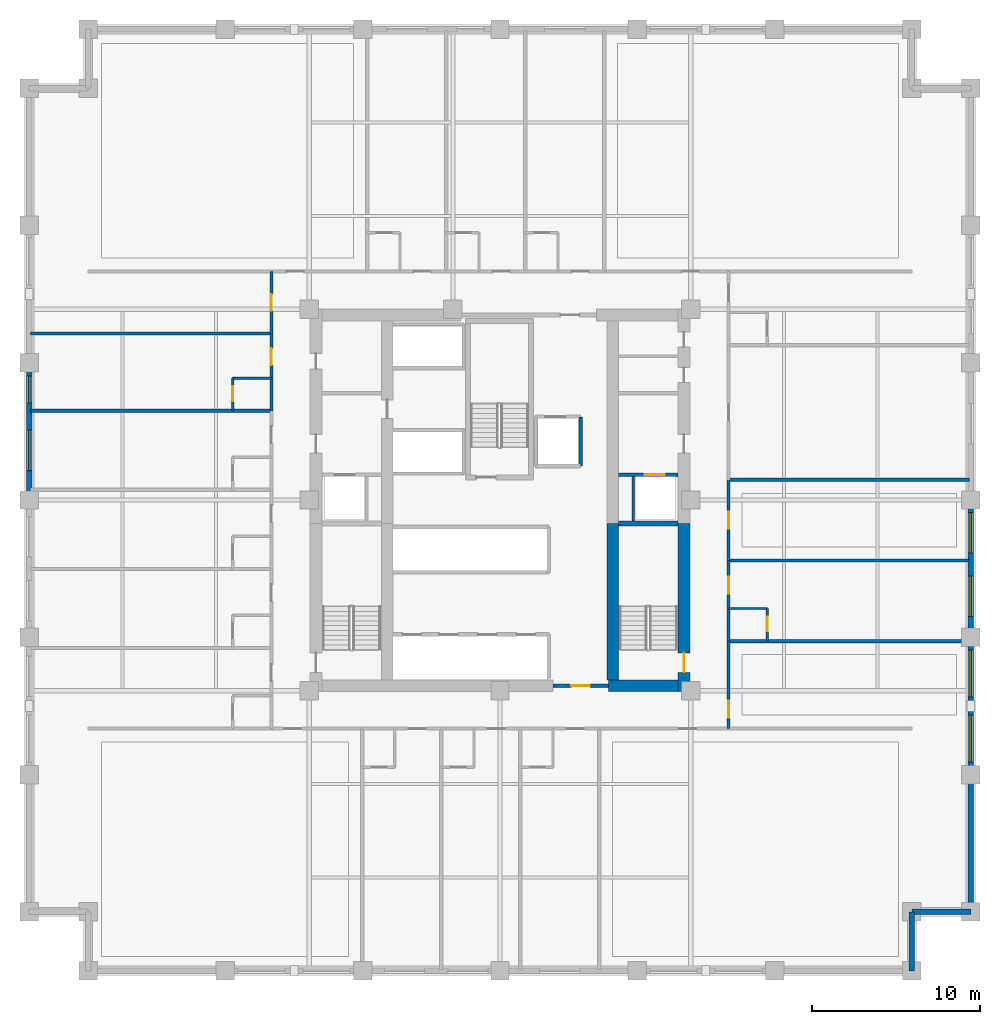
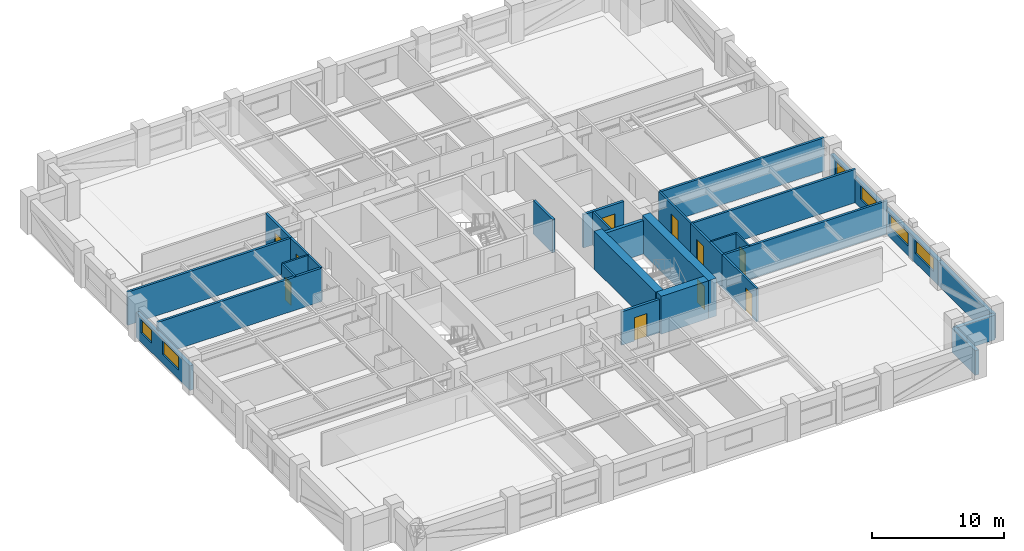
# One storey, part 4 of 12: 28 walls, 10 doors, 6 windows, 16 openings.
"""IFC4 building model written with IfcOpenShell, lengths in metres."""

from ifc_helpers import new_model, si_unit, direction, frame, frame_2d, origin, place, context, subcontext, project, spatial, rectangle, extrude, material, layer, layer_set, type_object, element, fill, save


model = new_model("IFC4")

# Units and contexts
model_context = context("Model", 3, precision=1e-05, world=origin(), true_north=direction((0.0, 1.0)))
body_context = subcontext(model_context, "Body", "Model", "MODEL_VIEW")
ifc_project = project(units=[si_unit("LENGTHUNIT", "METRE"), si_unit("AREAUNIT", "SQUARE_METRE"), si_unit("VOLUMEUNIT", "CUBIC_METRE"), si_unit("PLANEANGLEUNIT", "RADIAN"), si_unit("MASSUNIT", "GRAM", prefix="KILO")], contexts=[model_context])

# Site, building, storey
site_placement = place(None, origin())
site = spatial("IfcSite", under=ifc_project, at=site_placement, CompositionType="ELEMENT")
building_placement = place(site_placement, origin())
building = spatial("IfcBuilding", under=site, at=building_placement, Name="Nhamokura Convention Tower", CompositionType="ELEMENT")
storey_placement = place(building_placement, frame((0.0, 0.0, 38.85009765625)))
storey = spatial("IfcBuildingStorey", under=building, at=storey_placement, Name="L07", CompositionType="ELEMENT", Elevation=38.85009765625)

# Wall
ifc_material_1 = material(Name="Moisture-resistant tile-backer partition", Category="masonry")
ifc_layer_1 = layer(ifc_material_1, 0.139892578125)
ifc_layer_set_1 = layer_set([ifc_layer_1], Name="BathroomWetWall_140")
wall_type_1 = type_object("IfcWallType", Name="BathroomWetWall_140", PredefinedType="STANDARD", material=ifc_layer_set_1)
wall_1_placement = place(storey_placement, frame((16.10009765625, 39.25, 0.0), z_axis=(0.0, 0.0, 1.0), x_axis=(1.0, 0.0, 0.0)))
element("IfcWall", 1, at=wall_1_placement, inside=storey, type_object=wall_type_1, Name="L07 Wall INT-L07-BW-W04N", PredefinedType="STANDARD", context=body_context, shape_type="SweptSolid", body=[
    extrude(rectangle(XDim=2.2998046875, YDim=0.139892578125, at=frame_2d((1.14990234375, 0.0))), origin(), (0.0, 0.0, 1.0), 3.079833984375),
])

# Wall, opening, door
wall_2_placement = place(storey_placement, frame((16.10009765625, 37.300048828125, 0.0), z_axis=(0.0, 0.0, 1.0), x_axis=(0.0, 1.0, 0.0)))
wall_2 = element("IfcWall", 2, at=wall_2_placement, inside=storey, type_object=wall_type_1, Name="L07 Wall INT-L07-BW-W04W", PredefinedType="STANDARD", context=body_context, shape_type="SweptSolid", body=[
    extrude(rectangle(XDim=1.949951171875, YDim=0.139892578125, at=frame_2d((0.97509765625, 0.0))), origin(), (0.0, 0.0, 1.0), 3.079833984375),
])
opening_1_placement = place(wall_2_placement, frame((0.580078125, 0.0, 0.0)))
opening_1 = element("IfcOpeningElement", 3, at=opening_1_placement, cuts=wall_2, Name="Opening D-11", PredefinedType="OPENING", context=body_context, shape_type="SweptSolid", body=[
    extrude(rectangle(XDim=0.8798828125, YDim=2.10009765625, at=frame_2d((0.43994140625, 1.050048828125))), frame((0.0, 0.079833984375, 0.0), z_axis=(0.0, -1.0, 0.0), x_axis=(1.0, 0.0, 0.0)), (0.0, 0.0, 1.0), 0.159912109375),
])
ifc_material_2 = material(Name="Solid oak hardwood", Category="wood")
door_type_1 = type_object("IfcDoorType", Name="BathroomDoor_880", OperationType="NOTDEFINED", PredefinedType="DOOR", material=ifc_material_2)
door_1_placement = place(opening_1_placement, origin())
door_1 = element("IfcDoor", 4, at=door_1_placement, inside=storey, type_object=door_type_1, Name="L07 Guest Room En-suite Door", OperationType="SINGLE_SWING_RIGHT", OverallHeight=2.10009765625, OverallWidth=0.8798828125, PredefinedType="DOOR", context=body_context, shape_type="SweptSolid", body=[
    extrude(rectangle(XDim=0.8798828125, YDim=2.10009765625, at=frame_2d((0.43994140625, 1.050048828125))), frame((0.0, 0.02490234375, 0.0), z_axis=(0.0, -1.0, 0.0), x_axis=(1.0, 0.0, 0.0)), (0.0, 0.0, 1.0), 0.050048828125),
])
fill(opening_1, door_1)

# Wall
wall_3_placement = place(storey_placement, frame((45.60009765625, 25.550048828125, 0.0), z_axis=(0.0, 0.0, 1.0), x_axis=(1.0, 0.0, 0.0)))
element("IfcWall", 5, at=wall_3_placement, inside=storey, type_object=wall_type_1, Name="L07 Wall INT-L07-BW-E01N", PredefinedType="STANDARD", context=body_context, shape_type="SweptSolid", body=[
    extrude(rectangle(XDim=2.2998046875, YDim=0.139892578125, at=frame_2d((1.14990234375, 0.0))), origin(), (0.0, 0.0, 1.0), 3.079833984375),
])

# Wall, opening, door
wall_4_placement = place(storey_placement, frame((47.89990234375, 23.60009765625, 0.0), z_axis=(0.0, 0.0, 1.0), x_axis=(0.0, 1.0, 0.0)))
wall_4 = element("IfcWall", 6, at=wall_4_placement, inside=storey, type_object=wall_type_1, Name="L07 Wall INT-L07-BW-E01E", PredefinedType="STANDARD", context=body_context, shape_type="SweptSolid", body=[
    extrude(rectangle(XDim=1.949951171875, YDim=0.139892578125, at=frame_2d((0.97509765625, 0.0))), origin(), (0.0, 0.0, 1.0), 3.079833984375),
])
opening_2_placement = place(wall_4_placement, frame((0.580078125, 0.0, 0.0)))
opening_2 = element("IfcOpeningElement", 7, at=opening_2_placement, cuts=wall_4, Name="Opening D-11", PredefinedType="OPENING", context=body_context, shape_type="SweptSolid", body=[
    extrude(rectangle(XDim=0.8798828125, YDim=2.10009765625, at=frame_2d((0.43994140625, 1.050048828125))), frame((0.0, 0.079833984375, 0.0), z_axis=(0.0, -1.0, 0.0), x_axis=(1.0, 0.0, 0.0)), (0.0, 0.0, 1.0), 0.159912109375),
])
door_2_placement = place(opening_2_placement, origin())
door_2 = element("IfcDoor", 8, at=door_2_placement, inside=storey, type_object=door_type_1, Name="L07 Guest Room En-suite Door", OperationType="SINGLE_SWING_LEFT", OverallHeight=2.10009765625, OverallWidth=0.8798828125, PredefinedType="DOOR", context=body_context, shape_type="SweptSolid", body=[
    extrude(rectangle(XDim=0.8798828125, YDim=2.10009765625, at=frame_2d((0.43994140625, 1.050048828125))), frame((0.0, 0.02490234375, 0.0), z_axis=(0.0, -1.0, 0.0), x_axis=(1.0, 0.0, 0.0)), (0.0, 0.0, 1.0), 0.050048828125),
])
fill(opening_2, door_2)

# Wall, openings, windows
ifc_material_3 = material(Name="Bronze-pigmented precast concrete C45/55", Category="concrete")
ifc_layer_2 = layer(ifc_material_3, 0.320068359375)
ifc_layer_set_2 = layer_set([ifc_layer_2], Name="BronzePrecastSpandrel_320")
wall_type_2 = type_object("IfcWallType", Name="BronzePrecastSpandrel_320", PredefinedType="USERDEFINED", material=ifc_layer_set_2)
wall_5_placement = place(storey_placement, frame((4.0, 32.0, 0.0), z_axis=(0.0, 0.0, 1.0), x_axis=(0.0, 1.0, 0.0)))
wall_5 = element("IfcWall", 9, at=wall_5_placement, inside=storey, type_object=wall_type_2, Name="L07 Masonry-Frame Wall WEST 3", ObjectType="SPANDREL_WALL", PredefinedType="USERDEFINED", context=body_context, shape_type="SweptSolid", body=[
    extrude(rectangle(XDim=8.166748046875, YDim=0.320068359375, at=frame_2d((4.08349609375, 0.0))), origin(), (0.0, 0.0, 1.0), 2.27978515625),
])
opening_3_placement = place(wall_5_placement, frame((1.75, 0.0, 0.85009765625)))
opening_3 = element("IfcOpeningElement", 10, at=opening_3_placement, cuts=wall_5, Name="Opening W-03", PredefinedType="OPENING", context=body_context, shape_type="SweptSolid", body=[
    extrude(rectangle(XDim=2.39990234375, YDim=1.22998046875, at=frame_2d((1.199951171875, 0.614990234375))), frame((0.0, 0.169921875, 0.0), z_axis=(0.0, -1.0, 0.0), x_axis=(1.0, 0.0, 0.0)), (0.0, 0.0, 1.0), 0.340087890625),
])
opening_4_placement = place(wall_5_placement, frame((5.783203125, 0.0, 0.85009765625)))
opening_4 = element("IfcOpeningElement", 11, at=opening_4_placement, cuts=wall_5, Name="Opening W-11", PredefinedType="OPENING", context=body_context, shape_type="SweptSolid", body=[
    extrude(rectangle(XDim=1.60009765625, YDim=1.22998046875, at=frame_2d((0.800048828125, 0.614990234375))), frame((0.0, 0.169921875, 0.0), z_axis=(0.0, -1.0, 0.0), x_axis=(1.0, 0.0, 0.0)), (0.0, 0.0, 1.0), 0.340087890625),
])
ifc_material_4 = material(Name="Solar-control bronze low-E double glass", Category="glass")
window_type_1 = type_object("IfcWindowType", Name="HotelBayWindow_2400", PartitioningType="DOUBLE_PANEL_VERTICAL", PredefinedType="WINDOW", material=ifc_material_4)
window_1_placement = place(opening_3_placement, origin())
window_1 = element("IfcWindow", 12, at=window_1_placement, inside=storey, type_object=window_type_1, Name="L07 Facade Window WEST 3-1", OverallHeight=1.22998046875, OverallWidth=2.39990234375, PartitioningType="SINGLE_PANEL", PredefinedType="WINDOW", context=body_context, shape_type="SweptSolid", body=[
    extrude(rectangle(XDim=2.39990234375, YDim=1.22998046875, at=frame_2d((1.199951171875, 0.614990234375))), frame((0.0, 0.030029296875, 0.0), z_axis=(0.0, -1.0, 0.0), x_axis=(1.0, 0.0, 0.0)), (0.0, 0.0, 1.0), 0.06005859375),
])
fill(opening_3, window_1)
ifc_material_5 = material(Name="Solar-control bronze low-E double glass", Category="glass")
window_type_2 = type_object("IfcWindowType", Name="NotchCornerWindow_1600", PartitioningType="SINGLE_PANEL", PredefinedType="WINDOW", material=ifc_material_5)
window_2_placement = place(opening_4_placement, origin())
window_2 = element("IfcWindow", 13, at=window_2_placement, inside=storey, type_object=window_type_2, Name="L07 Facade Window WEST 3-2", OverallHeight=1.22998046875, OverallWidth=1.60009765625, PartitioningType="SINGLE_PANEL", PredefinedType="WINDOW", context=body_context, shape_type="SweptSolid", body=[
    extrude(rectangle(XDim=1.60009765625, YDim=1.22998046875, at=frame_2d((0.800048828125, 0.614990234375))), frame((0.0, 0.030029296875, 0.0), z_axis=(0.0, -1.0, 0.0), x_axis=(1.0, 0.0, 0.0)), (0.0, 0.0, 1.0), 0.06005859375),
])
fill(opening_4, window_2)

# Wall
wall_6_placement = place(storey_placement, frame((60.0, 15.666748046875, 0.0), z_axis=(0.0, 0.0, 1.0), x_axis=(0.0, -1.0, 0.0)))
element("IfcWall", 14, at=wall_6_placement, inside=storey, type_object=wall_type_2, Name="L07 Braced-Bay Precast Wall EAST 0", ObjectType="SPANDREL_WALL", PredefinedType="USERDEFINED", context=body_context, shape_type="SweptSolid", body=[
    extrude(rectangle(XDim=8.166748046875, YDim=0.320068359375, at=frame_2d((4.08349609375, 0.0))), origin(), (0.0, 0.0, 1.0), 2.27978515625),
])

# Wall, openings, windows
wall_7_placement = place(storey_placement, frame((60.0, 23.833251953125, 0.0), z_axis=(0.0, 0.0, 1.0), x_axis=(0.0, -1.0, 0.0)))
wall_7 = element("IfcWall", 15, at=wall_7_placement, inside=storey, type_object=wall_type_2, Name="L07 Masonry-Frame Wall EAST 1", ObjectType="SPANDREL_WALL", PredefinedType="USERDEFINED", context=body_context, shape_type="SweptSolid", body=[
    extrude(rectangle(XDim=8.16650390625, YDim=0.320068359375, at=frame_2d((4.083251953125, 0.0))), origin(), (0.0, 0.0, 1.0), 2.27978515625),
])
opening_5_placement = place(wall_7_placement, frame((0.74169921875, 0.0, 0.85009765625)))
opening_5 = element("IfcOpeningElement", 16, at=opening_5_placement, cuts=wall_7, Name="Opening W-04", PredefinedType="OPENING", context=body_context, shape_type="SweptSolid", body=[
    extrude(rectangle(XDim=2.800048828125, YDim=1.22998046875, at=frame_2d((1.39990234375, 0.614990234375))), frame((0.0, 0.169921875, 0.0), z_axis=(0.0, -1.0, 0.0), x_axis=(1.0, 0.0, 0.0)), (0.0, 0.0, 1.0), 0.340087890625),
])
opening_6_placement = place(wall_7_placement, frame((4.625, 0.0, 0.85009765625)))
opening_6 = element("IfcOpeningElement", 17, at=opening_6_placement, cuts=wall_7, Name="Opening W-04", PredefinedType="OPENING", context=body_context, shape_type="SweptSolid", body=[
    extrude(rectangle(XDim=2.800048828125, YDim=1.22998046875, at=frame_2d((1.39990234375, 0.614990234375))), frame((0.0, 0.169921875, 0.0), z_axis=(0.0, -1.0, 0.0), x_axis=(1.0, 0.0, 0.0)), (0.0, 0.0, 1.0), 0.340087890625),
])
ifc_material_6 = material(Name="Solar-control bronze low-E double glass", Category="glass")
window_type_3 = type_object("IfcWindowType", Name="HotelSuiteWindow_2800", PartitioningType="DOUBLE_PANEL_VERTICAL", PredefinedType="WINDOW", material=ifc_material_6)
window_3_placement = place(opening_5_placement, origin())
window_3 = element("IfcWindow", 18, at=window_3_placement, inside=storey, type_object=window_type_3, Name="L07 Facade Window EAST 1-1", OverallHeight=1.22998046875, OverallWidth=2.800048828125, PartitioningType="SINGLE_PANEL", PredefinedType="WINDOW", context=body_context, shape_type="SweptSolid", body=[
    extrude(rectangle(XDim=2.800048828125, YDim=1.22998046875, at=frame_2d((1.39990234375, 0.614990234375))), frame((0.0, 0.030029296875, 0.0), z_axis=(0.0, -1.0, 0.0), x_axis=(1.0, 0.0, 0.0)), (0.0, 0.0, 1.0), 0.06005859375),
])
fill(opening_5, window_3)
window_4_placement = place(opening_6_placement, origin())
window_4 = element("IfcWindow", 19, at=window_4_placement, inside=storey, type_object=window_type_3, Name="L07 Facade Window EAST 1-2", OverallHeight=1.22998046875, OverallWidth=2.800048828125, PartitioningType="SINGLE_PANEL", PredefinedType="WINDOW", context=body_context, shape_type="SweptSolid", body=[
    extrude(rectangle(XDim=2.800048828125, YDim=1.22998046875, at=frame_2d((1.39990234375, 0.614990234375))), frame((0.0, 0.030029296875, 0.0), z_axis=(0.0, -1.0, 0.0), x_axis=(1.0, 0.0, 0.0)), (0.0, 0.0, 1.0), 0.06005859375),
])
fill(opening_6, window_4)

wall_8_placement = place(storey_placement, frame((60.0, 32.0, 0.0), z_axis=(0.0, 0.0, 1.0), x_axis=(0.0, -1.0, 0.0)))
wall_8 = element("IfcWall", 20, at=wall_8_placement, inside=storey, type_object=wall_type_2, Name="L07 Masonry-Frame Wall EAST 2", ObjectType="SPANDREL_WALL", PredefinedType="USERDEFINED", context=body_context, shape_type="SweptSolid", body=[
    extrude(rectangle(XDim=8.166748046875, YDim=0.320068359375, at=frame_2d((4.08349609375, 0.0))), origin(), (0.0, 0.0, 1.0), 2.27978515625),
])
opening_7_placement = place(wall_8_placement, frame((0.75, 0.0, 0.85009765625)))
opening_7 = element("IfcOpeningElement", 21, at=opening_7_placement, cuts=wall_8, Name="Opening W-03", PredefinedType="OPENING", context=body_context, shape_type="SweptSolid", body=[
    extrude(rectangle(XDim=2.39990234375, YDim=1.22998046875, at=frame_2d((1.199951171875, 0.614990234375))), frame((0.0, 0.169921875, 0.0), z_axis=(0.0, -1.0, 0.0), x_axis=(1.0, 0.0, 0.0)), (0.0, 0.0, 1.0), 0.340087890625),
])
opening_8_placement = place(wall_8_placement, frame((4.533203125, 0.0, 0.85009765625)))
opening_8 = element("IfcOpeningElement", 22, at=opening_8_placement, cuts=wall_8, Name="Opening W-03", PredefinedType="OPENING", context=body_context, shape_type="SweptSolid", body=[
    extrude(rectangle(XDim=2.39990234375, YDim=1.22998046875, at=frame_2d((1.199951171875, 0.614990234375))), frame((0.0, 0.169921875, 0.0), z_axis=(0.0, -1.0, 0.0), x_axis=(1.0, 0.0, 0.0)), (0.0, 0.0, 1.0), 0.340087890625),
])
window_5_placement = place(opening_7_placement, origin())
window_5 = element("IfcWindow", 23, at=window_5_placement, inside=storey, type_object=window_type_1, Name="L07 Facade Window EAST 2-1", OverallHeight=1.22998046875, OverallWidth=2.39990234375, PartitioningType="SINGLE_PANEL", PredefinedType="WINDOW", context=body_context, shape_type="SweptSolid", body=[
    extrude(rectangle(XDim=2.39990234375, YDim=1.22998046875, at=frame_2d((1.199951171875, 0.614990234375))), frame((0.0, 0.030029296875, 0.0), z_axis=(0.0, -1.0, 0.0), x_axis=(1.0, 0.0, 0.0)), (0.0, 0.0, 1.0), 0.06005859375),
])
fill(opening_7, window_5)
window_6_placement = place(opening_8_placement, origin())
window_6 = element("IfcWindow", 24, at=window_6_placement, inside=storey, type_object=window_type_1, Name="L07 Facade Window EAST 2-2", OverallHeight=1.22998046875, OverallWidth=2.39990234375, PartitioningType="SINGLE_PANEL", PredefinedType="WINDOW", context=body_context, shape_type="SweptSolid", body=[
    extrude(rectangle(XDim=2.39990234375, YDim=1.22998046875, at=frame_2d((1.199951171875, 0.614990234375))), frame((0.0, 0.030029296875, 0.0), z_axis=(0.0, -1.0, 0.0), x_axis=(1.0, 0.0, 0.0)), (0.0, 0.0, 1.0), 0.06005859375),
])
fill(opening_8, window_6)

# Walls
for number, where, z_axis, x_axis, name in (
    (25, (56.5, 7.5, 0.0), (0.0, 0.0, 1.0), (0.0, -1.0, 0.0), "L07 Notched Corner Wall SE1"),
    (26, (60.0, 7.5, 0.0), (0.0, 0.0, 1.0), (-1.0, 0.0, 0.0), "L07 Notched Corner Wall SE2"),
):
    element("IfcWall", number, at=place(storey_placement, frame(where, z_axis=z_axis, x_axis=x_axis)), inside=storey, type_object=wall_type_2, Name=name, ObjectType="SPANDREL_WALL", PredefinedType="USERDEFINED", context=body_context, shape_type="SweptSolid", body=[
        extrude(rectangle(XDim=3.5, YDim=0.320068359375, at=frame_2d((1.75, 0.0))), origin(), (0.0, 0.0, 1.0), 2.27978515625),
    ])

# Wall, opening, door
ifc_material_7 = material(Name="Concrete C70/85", Category="concrete")
ifc_layer_3 = layer(ifc_material_7, 0.699951171875)
ifc_layer_set_3 = layer_set([ifc_layer_3], Name="CoreShearWall_700")
wall_type_3 = type_object("IfcWallType", Name="CoreShearWall_700", PredefinedType="SHEAR", material=ifc_layer_set_3)
wall_9_placement = place(storey_placement, frame((42.93994140625, 20.60009765625, 0.0), z_axis=(0.0, 0.0, 1.0), x_axis=(0.0, 1.0, 0.0)))
wall_9 = element("IfcWall", 27, at=wall_9_placement, inside=storey, type_object=wall_type_3, Name="L07 Core Shear Wall CW-ES", PredefinedType="SHEAR", context=body_context, shape_type="SweptSolid", body=[
    extrude(rectangle(XDim=10.0, YDim=0.699951171875, at=frame_2d((5.0, 0.0))), origin(), (0.0, 0.0, 1.0), 3.5),
])
opening_9_placement = place(wall_9_placement, frame((1.14990234375, 0.0, 0.0)))
opening_9 = element("IfcOpeningElement", 28, at=opening_9_placement, cuts=wall_9, Name="Opening D-04", PredefinedType="OPENING", context=body_context, shape_type="SweptSolid", body=[
    extrude(rectangle(XDim=1.14990234375, YDim=2.14990234375, at=frame_2d((0.574951171875, 1.074951171875))), frame((0.0, 0.35986328125, 0.0), z_axis=(0.0, -1.0, 0.0), x_axis=(1.0, 0.0, 0.0)), (0.0, 0.0, 1.0), 0.719970703125),
])
ifc_material_8 = material(Name="Fire-rated steel door", Category="steel")
door_type_2 = type_object("IfcDoorType", Name="StairSmokeDoor_1150", OperationType="NOTDEFINED", PredefinedType="DOOR", material=ifc_material_8)
door_3_placement = place(opening_9_placement, origin())
door_3 = element("IfcDoor", 29, at=door_3_placement, inside=storey, type_object=door_type_2, Name="L07 Core Door INT-L07-D-ST02", OperationType="SINGLE_SWING_RIGHT", OverallHeight=2.14990234375, OverallWidth=1.14990234375, PredefinedType="DOOR", context=body_context, shape_type="SweptSolid", body=[
    extrude(rectangle(XDim=1.14990234375, YDim=2.14990234375, at=frame_2d((0.574951171875, 1.074951171875))), frame((0.0, 0.02490234375, 0.0), z_axis=(0.0, -1.0, 0.0), x_axis=(1.0, 0.0, 0.0)), (0.0, 0.0, 1.0), 0.050048828125),
])
fill(opening_9, door_3)

# Walls
wall_10_placement = place(storey_placement, frame((38.449951171875, 20.949951171875, 0.0), z_axis=(0.0, 0.0, 1.0), x_axis=(1.0, 0.0, 0.0)))
element("IfcWall", 30, at=wall_10_placement, inside=storey, type_object=wall_type_3, Name="L07 Core Shear Wall CW-S2", PredefinedType="SHEAR", context=body_context, shape_type="SweptSolid", body=[
    extrude(rectangle(XDim=4.14013671875, YDim=0.699951171875, at=frame_2d((2.070068359375, 0.0))), origin(), (0.0, 0.0, 1.0), 3.5),
])
wall_11_placement = place(storey_placement, frame((38.7099609375, 21.300048828125, 0.0), z_axis=(0.0, 0.0, 1.0), x_axis=(0.0, 1.0, 0.0)))
element("IfcWall", 31, at=wall_11_placement, inside=storey, type_object=wall_type_3, Name="L07 Core Shear Wall CW-IES", PredefinedType="SHEAR", context=body_context, shape_type="SweptSolid", body=[
    extrude(rectangle(XDim=9.300048828125, YDim=0.699951171875, at=frame_2d((4.64990234375, 0.0))), origin(), (0.0, 0.0, 1.0), 3.5),
])

# Wall, opening, door
ifc_material_9 = material(Name="Fire-rated gypsum and masonry partition", Category="masonry")
ifc_layer_4 = layer(ifc_material_9, 0.179931640625)
ifc_layer_set_4 = layer_set([ifc_layer_4], Name="CorridorRatedWall_180")
wall_type_4 = type_object("IfcWallType", Name="CorridorRatedWall_180", PredefinedType="STANDARD", material=ifc_layer_set_4)
wall_12_placement = place(storey_placement, frame((18.39990234375, 37.300048828125, 0.0), z_axis=(0.0, 0.0, 1.0), x_axis=(0.0, 1.0, 0.0)))
wall_12 = element("IfcWall", 32, at=wall_12_placement, inside=storey, type_object=wall_type_4, Name="L07 Wall INT-L07-CW-W04", PredefinedType="STANDARD", context=body_context, shape_type="SweptSolid", body=[
    extrude(rectangle(XDim=4.599853515625, YDim=0.179931640625, at=frame_2d((2.2998046875, 0.0))), origin(), (0.0, 0.0, 1.0), 3.079833984375),
])
opening_10_placement = place(wall_12_placement, frame((2.72509765625, 0.0, 0.0)))
opening_10 = element("IfcOpeningElement", 33, at=opening_10_placement, cuts=wall_12, Name="Opening D-07", PredefinedType="OPENING", context=body_context, shape_type="SweptSolid", body=[
    extrude(rectangle(XDim=1.0, YDim=2.14990234375, at=frame_2d((0.5, 1.074951171875))), frame((0.0, 0.099853515625, 0.0), z_axis=(0.0, -1.0, 0.0), x_axis=(1.0, 0.0, 0.0)), (0.0, 0.0, 1.0), 0.199951171875),
])
ifc_material_10 = material(Name="Solid oak hardwood", Category="wood")
door_type_3 = type_object("IfcDoorType", Name="HotelSuiteEntryDoor_1000", OperationType="NOTDEFINED", PredefinedType="DOOR", material=ifc_material_10)
door_4_placement = place(opening_10_placement, origin())
door_4 = element("IfcDoor", 34, at=door_4_placement, inside=storey, type_object=door_type_3, Name="L07 Guest Room W05 Door", OperationType="SINGLE_SWING_LEFT", OverallHeight=2.14990234375, OverallWidth=1.0, PredefinedType="DOOR", context=body_context, shape_type="SweptSolid", body=[
    extrude(rectangle(XDim=1.0, YDim=2.14990234375, at=frame_2d((0.5, 1.074951171875))), frame((0.0, 0.02490234375, 0.0), z_axis=(0.0, -1.0, 0.0), x_axis=(1.0, 0.0, 0.0)), (0.0, 0.0, 1.0), 0.050048828125),
])
fill(opening_10, door_4)

wall_13_placement = place(storey_placement, frame((18.39990234375, 41.89990234375, 0.0), z_axis=(0.0, 0.0, 1.0), x_axis=(0.0, 1.0, 0.0)))
wall_13 = element("IfcWall", 35, at=wall_13_placement, inside=storey, type_object=wall_type_4, Name="L07 Wall INT-L07-CW-W05", PredefinedType="STANDARD", context=body_context, shape_type="SweptSolid", body=[
    extrude(rectangle(XDim=3.7001953125, YDim=0.179931640625, at=frame_2d((1.85009765625, 0.0))), origin(), (0.0, 0.0, 1.0), 3.079833984375),
])
opening_11_placement = place(wall_13_placement, frame((1.35009765625, 0.0, 0.0)))
opening_11 = element("IfcOpeningElement", 36, at=opening_11_placement, cuts=wall_13, Name="Opening D-07", PredefinedType="OPENING", context=body_context, shape_type="SweptSolid", body=[
    extrude(rectangle(XDim=1.0, YDim=2.14990234375, at=frame_2d((0.5, 1.074951171875))), frame((0.0, 0.099853515625, 0.0), z_axis=(0.0, -1.0, 0.0), x_axis=(1.0, 0.0, 0.0)), (0.0, 0.0, 1.0), 0.199951171875),
])
door_5_placement = place(opening_11_placement, origin())
door_5 = element("IfcDoor", 37, at=door_5_placement, inside=storey, type_object=door_type_3, Name="L07 Service Linen Room W06 Door", OperationType="SINGLE_SWING_RIGHT", OverallHeight=2.14990234375, OverallWidth=1.0, PredefinedType="DOOR", context=body_context, shape_type="SweptSolid", body=[
    extrude(rectangle(XDim=1.0, YDim=2.14990234375, at=frame_2d((0.5, 1.074951171875))), frame((0.0, 0.02490234375, 0.0), z_axis=(0.0, -1.0, 0.0), x_axis=(1.0, 0.0, 0.0)), (0.0, 0.0, 1.0), 0.050048828125),
])
fill(opening_11, door_5)

wall_14_placement = place(storey_placement, frame((45.60009765625, 18.39990234375, 0.0), z_axis=(0.0, 0.0, 1.0), x_axis=(0.0, 1.0, 0.0)))
wall_14 = element("IfcWall", 38, at=wall_14_placement, inside=storey, type_object=wall_type_4, Name="L07 Wall INT-L07-CW-E00", PredefinedType="STANDARD", context=body_context, shape_type="SweptSolid", body=[
    extrude(rectangle(XDim=5.2001953125, YDim=0.179931640625, at=frame_2d((2.60009765625, 0.0))), origin(), (0.0, 0.0, 1.0), 3.079833984375),
])
opening_12_placement = place(wall_14_placement, frame((0.64990234375, 0.0, 0.0)))
opening_12 = element("IfcOpeningElement", 39, at=opening_12_placement, cuts=wall_14, Name="Opening D-07", PredefinedType="OPENING", context=body_context, shape_type="SweptSolid", body=[
    extrude(rectangle(XDim=1.0, YDim=2.14990234375, at=frame_2d((0.5, 1.074951171875))), frame((0.0, 0.099853515625, 0.0), z_axis=(0.0, -1.0, 0.0), x_axis=(1.0, 0.0, 0.0)), (0.0, 0.0, 1.0), 0.199951171875),
])
door_6_placement = place(opening_12_placement, origin())
door_6 = element("IfcDoor", 40, at=door_6_placement, inside=storey, type_object=door_type_3, Name="L07 Conference Salon E01 Door", OperationType="SINGLE_SWING_LEFT", OverallHeight=2.14990234375, OverallWidth=1.0, PredefinedType="DOOR", context=body_context, shape_type="SweptSolid", body=[
    extrude(rectangle(XDim=1.0, YDim=2.14990234375, at=frame_2d((0.5, 1.074951171875))), frame((0.0, 0.02490234375, 0.0), z_axis=(0.0, -1.0, 0.0), x_axis=(1.0, 0.0, 0.0)), (0.0, 0.0, 1.0), 0.050048828125),
])
fill(opening_12, door_6)

wall_15_placement = place(storey_placement, frame((45.60009765625, 23.60009765625, 0.0), z_axis=(0.0, 0.0, 1.0), x_axis=(0.0, 1.0, 0.0)))
wall_15 = element("IfcWall", 41, at=wall_15_placement, inside=storey, type_object=wall_type_4, Name="L07 Wall INT-L07-CW-E01", PredefinedType="STANDARD", context=body_context, shape_type="SweptSolid", body=[
    extrude(rectangle(XDim=4.7998046875, YDim=0.179931640625, at=frame_2d((2.39990234375, 0.0))), origin(), (0.0, 0.0, 1.0), 3.079833984375),
])
opening_13_placement = place(wall_15_placement, frame((2.824951171875, 0.0, 0.0)))
opening_13 = element("IfcOpeningElement", 42, at=opening_13_placement, cuts=wall_15, Name="Opening D-07", PredefinedType="OPENING", context=body_context, shape_type="SweptSolid", body=[
    extrude(rectangle(XDim=1.0, YDim=2.14990234375, at=frame_2d((0.5, 1.074951171875))), frame((0.0, 0.099853515625, 0.0), z_axis=(0.0, -1.0, 0.0), x_axis=(1.0, 0.0, 0.0)), (0.0, 0.0, 1.0), 0.199951171875),
])
door_7_placement = place(opening_13_placement, origin())
door_7 = element("IfcDoor", 43, at=door_7_placement, inside=storey, type_object=door_type_3, Name="L07 Guest Room E02 Door", OperationType="SINGLE_SWING_RIGHT", OverallHeight=2.14990234375, OverallWidth=1.0, PredefinedType="DOOR", context=body_context, shape_type="SweptSolid", body=[
    extrude(rectangle(XDim=1.0, YDim=2.14990234375, at=frame_2d((0.5, 1.074951171875))), frame((0.0, 0.02490234375, 0.0), z_axis=(0.0, -1.0, 0.0), x_axis=(1.0, 0.0, 0.0)), (0.0, 0.0, 1.0), 0.050048828125),
])
fill(opening_13, door_7)

wall_16_placement = place(storey_placement, frame((45.60009765625, 28.39990234375, 0.0), z_axis=(0.0, 0.0, 1.0), x_axis=(0.0, 1.0, 0.0)))
wall_16 = element("IfcWall", 44, at=wall_16_placement, inside=storey, type_object=wall_type_4, Name="L07 Wall INT-L07-CW-E02", PredefinedType="STANDARD", context=body_context, shape_type="SweptSolid", body=[
    extrude(rectangle(XDim=4.800048828125, YDim=0.179931640625, at=frame_2d((2.39990234375, 0.0))), origin(), (0.0, 0.0, 1.0), 3.079833984375),
])
opening_14_placement = place(wall_16_placement, frame((1.89990234375, 0.0, 0.0)))
opening_14 = element("IfcOpeningElement", 45, at=opening_14_placement, cuts=wall_16, Name="Opening D-07", PredefinedType="OPENING", context=body_context, shape_type="SweptSolid", body=[
    extrude(rectangle(XDim=1.0, YDim=2.14990234375, at=frame_2d((0.5, 1.074951171875))), frame((0.0, 0.099853515625, 0.0), z_axis=(0.0, -1.0, 0.0), x_axis=(1.0, 0.0, 0.0)), (0.0, 0.0, 1.0), 0.199951171875),
])
door_8_placement = place(opening_14_placement, origin())
door_8 = element("IfcDoor", 46, at=door_8_placement, inside=storey, type_object=door_type_3, Name="L07 Housekeeping Store E03 Door", OperationType="SINGLE_SWING_LEFT", OverallHeight=2.14990234375, OverallWidth=1.0, PredefinedType="DOOR", context=body_context, shape_type="SweptSolid", body=[
    extrude(rectangle(XDim=1.0, YDim=2.14990234375, at=frame_2d((0.5, 1.074951171875))), frame((0.0, 0.02490234375, 0.0), z_axis=(0.0, -1.0, 0.0), x_axis=(1.0, 0.0, 0.0)), (0.0, 0.0, 1.0), 0.050048828125),
])
fill(opening_14, door_8)

ifc_material_11 = material(Name="Autoclaved concrete blockwork", Category="masonry")
ifc_layer_5 = layer(ifc_material_11, 0.219970703125)
ifc_layer_set_5 = layer_set([ifc_layer_5], Name="FireLobbyWall_220")
wall_type_5 = type_object("IfcWallType", Name="FireLobbyWall_220", PredefinedType="STANDARD", material=ifc_layer_set_5)
wall_17_placement = place(storey_placement, frame((39.06005859375, 33.5, 0.0), z_axis=(0.0, 0.0, 1.0), x_axis=(1.0, 0.0, 0.0)))
wall_17 = element("IfcWall", 47, at=wall_17_placement, inside=storey, type_object=wall_type_5, Name="L07 Wall INT-L07-FFE-S", PredefinedType="STANDARD", context=body_context, shape_type="SweptSolid", body=[
    extrude(rectangle(XDim=3.530029296875, YDim=0.219970703125, at=frame_2d((1.76513671875, 0.0))), origin(), (0.0, 0.0, 1.0), 3.079833984375),
])
opening_15_placement = place(wall_17_placement, frame((1.550048828125, 0.0, 0.0)))
opening_15 = element("IfcOpeningElement", 48, at=opening_15_placement, cuts=wall_17, Name="Opening LD-02", PredefinedType="OPENING", context=body_context, shape_type="SweptSolid", body=[
    extrude(rectangle(XDim=1.199951171875, YDim=2.199951171875, at=frame_2d((0.60009765625, 1.10009765625))), frame((0.0, 0.119873046875, 0.0), z_axis=(0.0, -1.0, 0.0), x_axis=(1.0, 0.0, 0.0)), (0.0, 0.0, 1.0), 0.239990234375),
])
ifc_material_12 = material(Name="Anodised bronze stainless steel", Category="steel")
door_type_4 = type_object("IfcDoorType", Name="LiftLandingDoor_FireService", OperationType="DOUBLE_DOOR_SLIDING", PredefinedType="DOOR", material=ifc_material_12)
door_9_placement = place(opening_15_placement, origin())
door_9 = element("IfcDoor", 49, at=door_9_placement, inside=storey, type_object=door_type_4, Name="L07 Firefighting Lift LF-02 Door", OperationType="DOUBLE_DOOR_SLIDING", OverallHeight=2.199951171875, OverallWidth=1.199951171875, PredefinedType="DOOR", context=body_context, shape_type="SweptSolid", body=[
    extrude(rectangle(XDim=1.199951171875, YDim=2.199951171875, at=frame_2d((0.60009765625, 1.10009765625))), frame((0.0, 0.02490234375, 0.0), z_axis=(0.0, -1.0, 0.0), x_axis=(1.0, 0.0, 0.0)), (0.0, 0.0, 1.0), 0.050048828125),
])
fill(opening_15, door_9)

wall_18_placement = place(storey_placement, frame((35.14990234375, 20.949951171875, 0.0), z_axis=(0.0, 0.0, 1.0), x_axis=(1.0, 0.0, 0.0)))
wall_18 = element("IfcWall", 50, at=wall_18_placement, inside=storey, type_object=wall_type_5, Name="L07 Wall INT-L07-SPORT-S", PredefinedType="STANDARD", context=body_context, shape_type="SweptSolid", body=[
    extrude(rectangle(XDim=3.300048828125, YDim=0.219970703125, at=frame_2d((1.64990234375, 0.0))), origin(), (0.0, 0.0, 1.0), 3.079833984375),
])
opening_16_placement = place(wall_18_placement, frame((1.10009765625, 0.0, 0.0)))
opening_16 = element("IfcOpeningElement", 51, at=opening_16_placement, cuts=wall_18, Name="Opening D-05", PredefinedType="OPENING", context=body_context, shape_type="SweptSolid", body=[
    extrude(rectangle(XDim=1.10009765625, YDim=2.14990234375, at=frame_2d((0.550048828125, 1.074951171875))), frame((0.0, 0.119873046875, 0.0), z_axis=(0.0, -1.0, 0.0), x_axis=(1.0, 0.0, 0.0)), (0.0, 0.0, 1.0), 0.239990234375),
])
ifc_material_13 = material(Name="Fire-rated steel door", Category="steel")
door_type_5 = type_object("IfcDoorType", Name="FireLobbyDoor_1100", OperationType="NOTDEFINED", PredefinedType="DOOR", material=ifc_material_13)
door_10_placement = place(opening_16_placement, origin())
door_10 = element("IfcDoor", 52, at=door_10_placement, inside=storey, type_object=door_type_5, Name="L07 South Core Lobby Portal Door", OperationType="SINGLE_SWING_LEFT", OverallHeight=2.14990234375, OverallWidth=1.10009765625, PredefinedType="DOOR", context=body_context, shape_type="SweptSolid", body=[
    extrude(rectangle(XDim=1.10009765625, YDim=2.14990234375, at=frame_2d((0.550048828125, 1.074951171875))), frame((0.0, 0.02490234375, 0.0), z_axis=(0.0, -1.0, 0.0), x_axis=(1.0, 0.0, 0.0)), (0.0, 0.0, 1.0), 0.050048828125),
])
fill(opening_16, door_10)

# Walls
wall_19_placement = place(storey_placement, frame((36.800048828125, 34.02001953125, 0.0), z_axis=(0.0, 0.0, 1.0), x_axis=(0.0, 1.0, 0.0)))
element("IfcWall", 53, at=wall_19_placement, inside=storey, type_object=wall_type_5, Name="L07 Wall INT-L07-LSE", PredefinedType="STANDARD", context=body_context, shape_type="SweptSolid", body=[
    extrude(rectangle(XDim=2.929931640625, YDim=0.219970703125, at=frame_2d((1.46484375, 0.0))), origin(), (0.0, 0.0, 1.0), 3.079833984375),
])
ifc_material_14 = material(Name="Acoustic twin-stud gypsum partition", Category="masonry")
ifc_layer_6 = layer(ifc_material_14, 0.199951171875)
ifc_layer_set_6 = layer_set([ifc_layer_6], Name="HotelDemisingWall_200")
wall_type_6 = type_object("IfcWallType", Name="HotelDemisingWall_200", PredefinedType="STANDARD", material=ifc_layer_set_6)
for number, where, z_axis, x_axis, name in (
    (54, (4.06005859375, 37.300048828125, 0.0), (0.0, 0.0, 1.0), (1.0, 0.0, 0.0), "L07 Wall INT-L07-RW-W04"),
    (55, (4.06005859375, 41.89990234375, 0.0), (0.0, 0.0, 1.0), (1.0, 0.0, 0.0), "L07 Wall INT-L07-RW-W05"),
    (56, (45.60009765625, 23.60009765625, 0.0), (0.0, 0.0, 1.0), (1.0, 0.0, 0.0), "L07 Wall INT-L07-RW-E01"),
    (57, (45.60009765625, 28.39990234375, 0.0), (0.0, 0.0, 1.0), (1.0, 0.0, 0.0), "L07 Wall INT-L07-RW-E02"),
    (58, (45.60009765625, 33.199951171875, 0.0), (0.0, 0.0, 1.0), (1.0, 0.0, 0.0), "L07 Wall INT-L07-RW-E03"),
):
    element("IfcWall", number, at=place(storey_placement, frame(where, z_axis=z_axis, x_axis=x_axis)), inside=storey, type_object=wall_type_6, Name=name, PredefinedType="STANDARD", context=body_context, shape_type="SweptSolid", body=[
        extrude(rectangle(XDim=14.33984375, YDim=0.199951171875, at=frame_2d((7.169921875, 0.0))), origin(), (0.0, 0.0, 1.0), 3.079833984375),
    ])
ifc_material_15 = material(Name="Acoustic gypsum stud partition", Category="masonry")
ifc_layer_7 = layer(ifc_material_15, 0.14990234375)
ifc_layer_set_7 = layer_set([ifc_layer_7], Name="InteriorPartition_150")
wall_type_7 = type_object("IfcWallType", Name="InteriorPartition_150", PredefinedType="STANDARD", material=ifc_layer_set_7)
wall_20_placement = place(storey_placement, frame((39.919921875, 30.75, 0.0), z_axis=(0.0, 0.0, 1.0), x_axis=(0.0, 1.0, 0.0)))
element("IfcWall", 59, at=wall_20_placement, inside=storey, type_object=wall_type_7, Name="L07 Wall INT-L07-FF2-W", PredefinedType="STANDARD", context=body_context, shape_type="SweptSolid", body=[
    extrude(rectangle(XDim=2.64990234375, YDim=0.14990234375, at=frame_2d((1.324951171875, 0.0))), origin(), (0.0, 0.0, 1.0), 3.079833984375),
])
ifc_material_16 = material(Name="Concrete C50/60", Category="concrete")
ifc_layer_8 = layer(ifc_material_16, 0.300048828125)
ifc_layer_set_8 = layer_set([ifc_layer_8], Name="ShaftEnclosureWall_300")
wall_type_8 = type_object("IfcWallType", Name="ShaftEnclosureWall_300", PredefinedType="SHEAR", material=ifc_layer_set_8)
wall_21_placement = place(storey_placement, frame((39.06005859375, 30.60009765625, 0.0), z_axis=(0.0, 0.0, 1.0), x_axis=(1.0, 0.0, 0.0)))
element("IfcWall", 60, at=wall_21_placement, inside=storey, type_object=wall_type_8, Name="L07 Wall INT-L07-ST02-N", PredefinedType="SHEAR", context=body_context, shape_type="SweptSolid", body=[
    extrude(rectangle(XDim=3.530029296875, YDim=0.300048828125, at=frame_2d((1.76513671875, 0.0))), origin(), (0.0, 0.0, 1.0), 3.079833984375),
])

save(model, "model.ifc")
